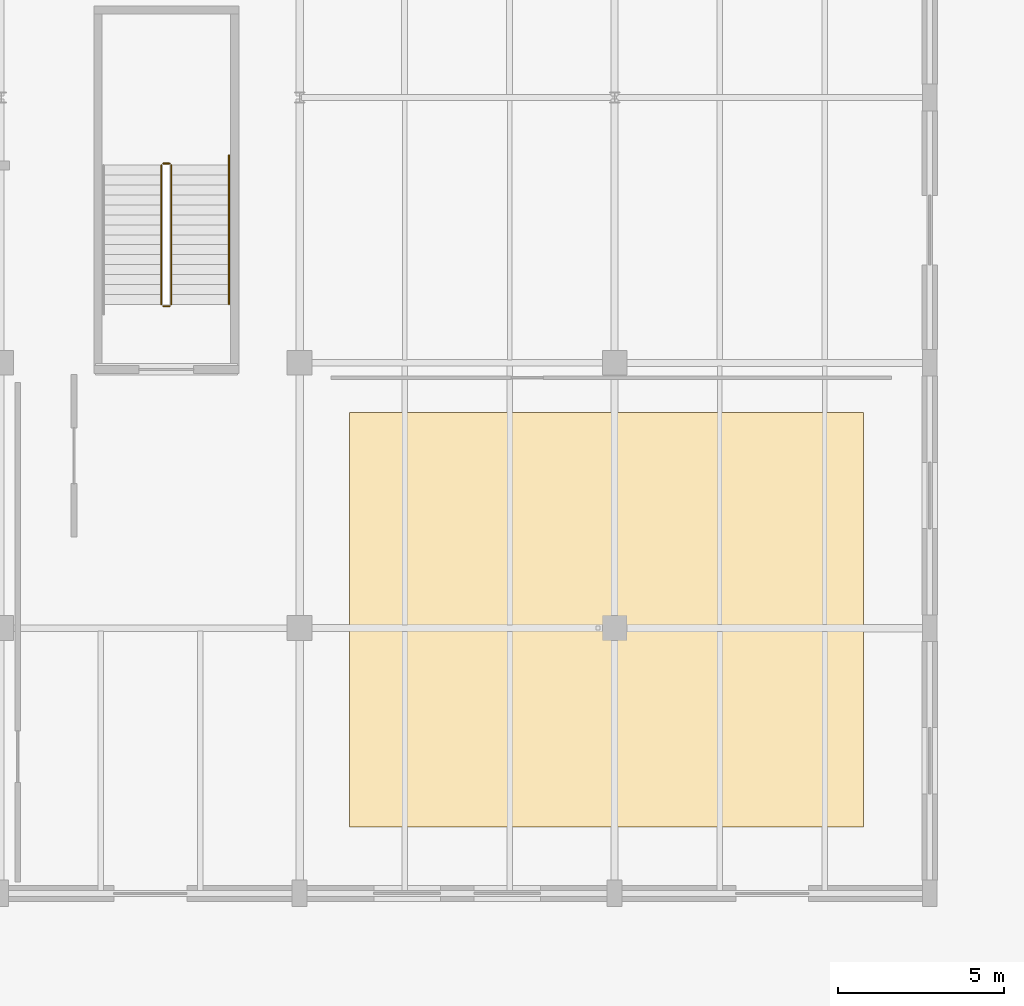
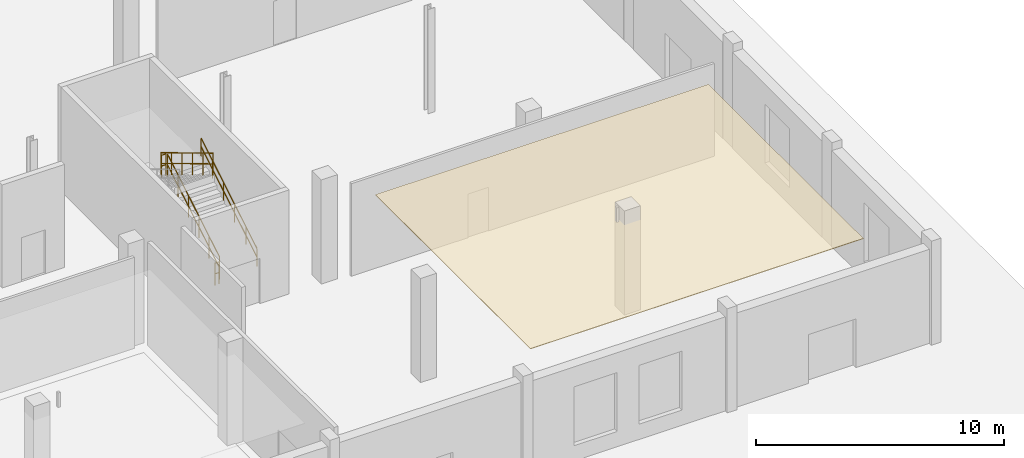
# One storey, part 102 of 103: 5 railings, 1 covering.
"""IFC4 building model written with IfcOpenShell, lengths in metres."""

from ifc_helpers import new_model, si_unit, direction, frame, origin, origin_2d, place, context, subcontext, project, spatial, polyline, circle, outline, extrude, material, layer, layer_set, type_object, element, save


model = new_model("IFC4")

# Units and contexts
model_context = context("Model", 3, precision=1e-05, world=origin(), true_north=direction((0.0, 1.0)))
body_context = subcontext(model_context, "Body", "Model", "MODEL_VIEW")
ifc_project = project(units=[si_unit("LENGTHUNIT", "METRE"), si_unit("AREAUNIT", "SQUARE_METRE"), si_unit("VOLUMEUNIT", "CUBIC_METRE"), si_unit("PLANEANGLEUNIT", "RADIAN"), si_unit("MASSUNIT", "GRAM", prefix="KILO")], contexts=[model_context])

# Site, building, storey
site_placement = place(None, origin())
site = spatial("IfcSite", under=ifc_project, at=site_placement, CompositionType="ELEMENT")
building_placement = place(site_placement, origin())
building = spatial("IfcBuilding", under=site, at=building_placement, Name="Marnock Terrace Opera House", CompositionType="ELEMENT")
storey_placement = place(building_placement, origin())
storey = spatial("IfcBuildingStorey", under=building, at=storey_placement, Name="L00", CompositionType="ELEMENT", Elevation=0.0)

# Covering
ifc_material_1 = material(Name="Double-stud acoustic plasterboard with mineral-wool infill")
ifc_layer = layer(ifc_material_1, 0.030029296875)
ifc_layer_set = layer_set([ifc_layer], Name="Double-stud acoustic plasterboard with mineral-wool infill")
covering_type = type_object("IfcCoveringType", Name="COV-CEIL-GYP", PredefinedType="CEILING", material=ifc_layer_set)
covering_placement = place(storey_placement, frame((0.0, 0.0, 4.39990234375)))
element("IfcCovering", 1, at=covering_placement, inside=storey, type_object=covering_type, Name="L00 acoustic reflector ceiling CLG-SHOP-01", PredefinedType="CEILING", context=body_context, shape_type="SweptSolid", body=[
    extrude(outline(polyline([(146.5, 10.0), (162.0, 10.0), (162.0, 22.5), (146.5, 22.5), (146.5, 10.0)])), origin(), (0.0, 0.0, 1.0), 0.030029296875),
])

# Railings
ifc_material_2 = material(Name="Architectural bronze balustrade")
railing_type_1 = type_object("IfcRailingType", Name="RL-GUARD-1100", PredefinedType="GUARDRAIL", material=ifc_material_2)
railing_1_placement = place(storey_placement, frame((141.1298828125, 25.760009765625, 0.179931640625)))
element("IfcRailing", 2, at=railing_1_placement, inside=storey, type_object=railing_type_1, Name="L00 ST-06 stair guard 1", PredefinedType="GUARDRAIL", context=body_context, shape_type="SweptSolid", body=[
    extrude(circle(Radius=0.02392578125, at=origin_2d()), frame((0.0, 0.0, 1.076171875), z_axis=(0.0, 0.857488527567, 0.514503085598), x_axis=(-1.0, 0.0, 0.0)), (0.0, 0.0, 1.0), 4.89794921875),
    extrude(circle(Radius=0.02392578125, at=origin_2d()), frame((0.0, 0.0, 0.550048828125), z_axis=(0.0, 0.857488527567, 0.514503085598), x_axis=(-1.0, 0.0, 0.0)), (0.0, 0.0, 1.0), 4.89794921875),
    extrude(circle(Radius=0.02099609375, at=origin_2d()), origin(), (0.0, 0.0, 1.0), 1.052001953125),
    extrude(circle(Radius=0.02099609375, at=origin_2d()), frame((0.0, 0.840087890625, 0.50390625)), (0.0, 0.0, 1.0), 1.052001953125),
    extrude(circle(Radius=0.02099609375, at=origin_2d()), frame((0.0, 1.679931640625, 1.008056640625)), (0.0, 0.0, 1.0), 1.052001953125),
    extrude(circle(Radius=0.02099609375, at=origin_2d()), frame((0.0, 2.52001953125, 1.511962890625)), (0.0, 0.0, 1.0), 1.052001953125),
    extrude(circle(Radius=0.02099609375, at=origin_2d()), frame((0.0, 3.35986328125, 2.01611328125)), (0.0, 0.0, 1.0), 1.052001953125),
    extrude(circle(Radius=0.02099609375, at=origin_2d()), frame((0.0, 4.199951171875, 2.52001953125)), (0.0, 0.0, 1.0), 1.052001953125),
])
railing_2_placement = place(storey_placement, frame((141.080078125, 30.010009765625, 2.699951171875)))
element("IfcRailing", 3, at=railing_2_placement, inside=storey, type_object=railing_type_1, Name="L00 ST-06 stair guard 2", PredefinedType="GUARDRAIL", context=body_context, shape_type="SweptSolid", body=[
    extrude(circle(Radius=0.02392578125, at=origin_2d()), frame((0.0, 0.0, 1.076171875), z_axis=(-1.0, 0.0, 0.0), x_axis=(0.0, -1.0, 0.0)), (0.0, 0.0, 1.0), 0.2001953125),
    extrude(circle(Radius=0.02392578125, at=origin_2d()), frame((0.0, 0.0, 0.550048828125), z_axis=(-1.0, 0.0, 0.0), x_axis=(0.0, -1.0, 0.0)), (0.0, 0.0, 1.0), 0.2001953125),
    extrude(circle(Radius=0.02099609375, at=origin_2d()), origin(), (0.0, 0.0, 1.0), 1.052001953125),
    extrude(circle(Radius=0.02099609375, at=origin_2d()), frame((-0.2001953125, 0.0, 0.0)), (0.0, 0.0, 1.0), 1.052001953125),
])
railing_3_placement = place(storey_placement, frame((140.830078125, 29.9599609375, 2.8798828125)))
element("IfcRailing", 4, at=railing_3_placement, inside=storey, type_object=railing_type_1, Name="L00 ST-06 stair guard 3", PredefinedType="GUARDRAIL", context=body_context, shape_type="SweptSolid", body=[
    extrude(circle(Radius=0.02392578125, at=origin_2d()), frame((0.0, 0.0, 1.076171875), z_axis=(0.0, -0.857488527567, 0.514503085598), x_axis=(1.0, 0.0, 0.0)), (0.0, 0.0, 1.0), 4.89794921875),
    extrude(circle(Radius=0.02392578125, at=origin_2d()), frame((0.0, 0.0, 0.550048828125), z_axis=(0.0, -0.857488527567, 0.514503085598), x_axis=(1.0, 0.0, 0.0)), (0.0, 0.0, 1.0), 4.89794921875),
    extrude(circle(Radius=0.02099609375, at=origin_2d()), origin(), (0.0, 0.0, 1.0), 1.052001953125),
    extrude(circle(Radius=0.02099609375, at=origin_2d()), frame((0.0, -0.840087890625, 0.50390625)), (0.0, 0.0, 1.0), 1.052001953125),
    extrude(circle(Radius=0.02099609375, at=origin_2d()), frame((0.0, -1.679931640625, 1.008056640625)), (0.0, 0.0, 1.0), 1.052001953125),
    extrude(circle(Radius=0.02099609375, at=origin_2d()), frame((0.0, -2.52001953125, 1.511962890625)), (0.0, 0.0, 1.0), 1.052001953125),
    extrude(circle(Radius=0.02099609375, at=origin_2d()), frame((0.0, -3.35986328125, 2.01611328125)), (0.0, 0.0, 1.0), 1.052001953125),
    extrude(circle(Radius=0.02099609375, at=origin_2d()), frame((0.0, -4.199951171875, 2.52001953125)), (0.0, 0.0, 1.0), 1.052001953125),
])
railing_4_placement = place(storey_placement, frame((141.080078125, 25.7099609375, 0.0)))
element("IfcRailing", 5, at=railing_4_placement, inside=storey, type_object=railing_type_1, Name="L00 ST-06 stair guard 4", PredefinedType="GUARDRAIL", context=body_context, shape_type="SweptSolid", body=[
    extrude(circle(Radius=0.02392578125, at=origin_2d()), frame((0.0, 0.0, 1.076171875), z_axis=(-1.0, 0.0, 0.0), x_axis=(0.0, -1.0, 0.0)), (0.0, 0.0, 1.0), 0.2001953125),
    extrude(circle(Radius=0.02392578125, at=origin_2d()), frame((0.0, 0.0, 0.550048828125), z_axis=(-1.0, 0.0, 0.0), x_axis=(0.0, -1.0, 0.0)), (0.0, 0.0, 1.0), 0.2001953125),
    extrude(circle(Radius=0.02099609375, at=origin_2d()), origin(), (0.0, 0.0, 1.0), 1.052001953125),
    extrude(circle(Radius=0.02099609375, at=origin_2d()), frame((-0.2001953125, 0.0, 0.0)), (0.0, 0.0, 1.0), 1.052001953125),
])
railing_type_2 = type_object("IfcRailingType", Name="RL-HAND-900", PredefinedType="HANDRAIL", material=ifc_material_2)
railing_5_placement = place(storey_placement, frame((142.8701171875, 25.760009765625, 0.19189453125)))
element("IfcRailing", 6, at=railing_5_placement, inside=storey, type_object=railing_type_2, Name="L00 ST-06 stair handrail 1", PredefinedType="HANDRAIL", context=body_context, shape_type="SweptSolid", body=[
    extrude(circle(Radius=0.02392578125, at=origin_2d()), frame((0.0, 0.0, 0.8759765625), z_axis=(0.0, 0.857476506072, 0.514523120505), x_axis=(-1.0, 0.0, 0.0)), (0.0, 0.0, 1.0), 5.248046875),
    extrude(circle(Radius=0.02392578125, at=origin_2d()), frame((0.0, 0.0, 0.449951171875), z_axis=(0.0, 0.857476506072, 0.514523120505), x_axis=(-1.0, 0.0, 0.0)), (0.0, 0.0, 1.0), 5.248046875),
    extrude(circle(Radius=0.02099609375, at=origin_2d()), origin(), (0.0, 0.0, 1.0), 0.851806640625),
    extrude(circle(Radius=0.02099609375, at=origin_2d()), frame((0.0, 0.89990234375, 0.5400390625)), (0.0, 0.0, 1.0), 0.851806640625),
    extrude(circle(Radius=0.02099609375, at=origin_2d()), frame((0.0, 1.800048828125, 1.080078125)), (0.0, 0.0, 1.0), 0.851806640625),
    extrude(circle(Radius=0.02099609375, at=origin_2d()), frame((0.0, 2.699951171875, 1.6201171875)), (0.0, 0.0, 1.0), 0.851806640625),
    extrude(circle(Radius=0.02099609375, at=origin_2d()), frame((0.0, 3.60009765625, 2.16015625)), (0.0, 0.0, 1.0), 0.851806640625),
    extrude(circle(Radius=0.02099609375, at=origin_2d()), frame((0.0, 4.5, 2.7001953125)), (0.0, 0.0, 1.0), 0.851806640625),
])

save(model, "model.ifc")
